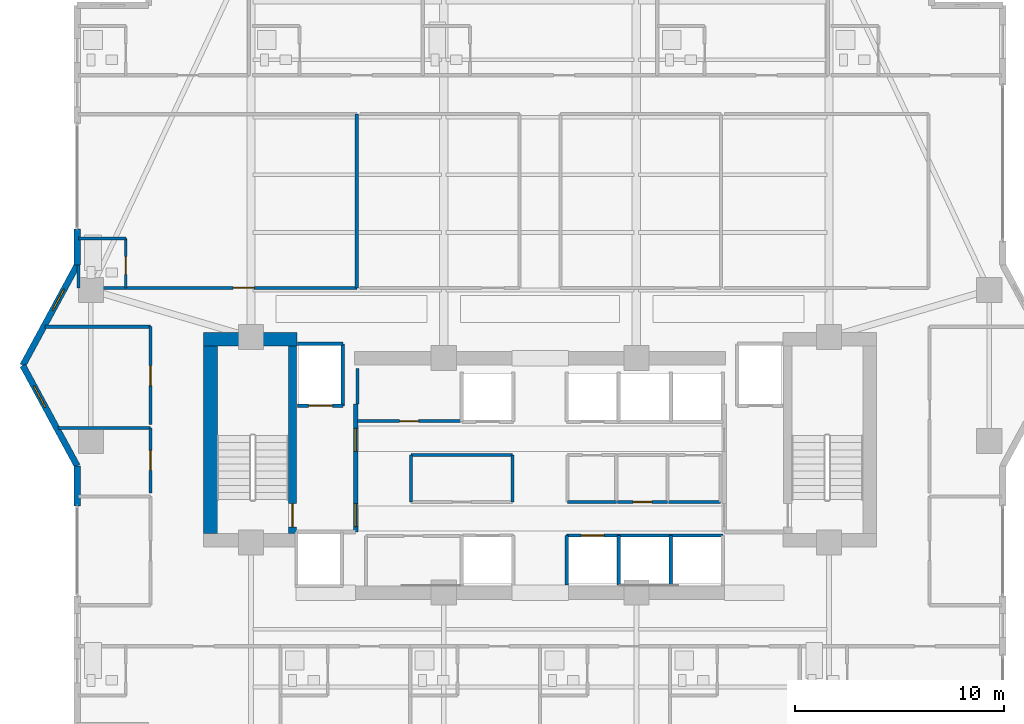
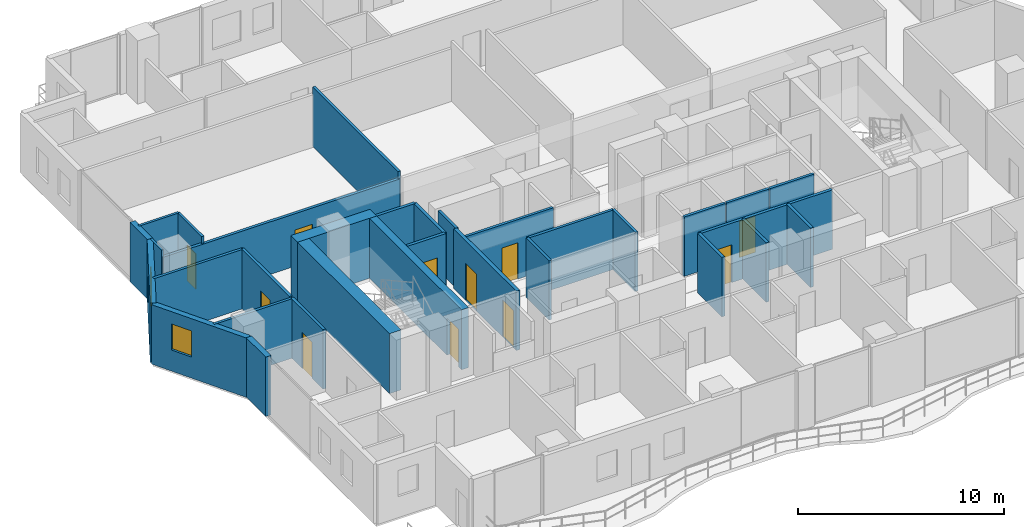
# One storey, part 25 of 32: 34 walls, 11 doors, 2 windows, 13 openings.
"""IFC4 building model written with IfcOpenShell, lengths in metres."""

from ifc_helpers import new_model, si_unit, direction, frame, frame_2d, origin, place, context, subcontext, project, spatial, rectangle, extrude, material, layer, layer_set, type_object, element, fill, save


model = new_model("IFC4")

# Units and contexts
model_context = context("Model", 3, precision=1e-05, world=origin(), true_north=direction((0.0, 1.0)))
body_context = subcontext(model_context, "Body", "Model", "MODEL_VIEW")
ifc_project = project(units=[si_unit("LENGTHUNIT", "METRE"), si_unit("AREAUNIT", "SQUARE_METRE"), si_unit("VOLUMEUNIT", "CUBIC_METRE"), si_unit("PLANEANGLEUNIT", "RADIAN"), si_unit("MASSUNIT", "GRAM", prefix="KILO")], contexts=[model_context])

# Site, building, storey
site_placement = place(None, origin())
site = spatial("IfcSite", under=ifc_project, at=site_placement, CompositionType="ELEMENT")
building_placement = place(site_placement, origin())
building = spatial("IfcBuilding", under=site, at=building_placement, Name="Zuhayl Quay Hotel", CompositionType="ELEMENT")
storey_placement = place(building_placement, frame((0.0, 0.0, 192.39990234375)))
storey = spatial("IfcBuildingStorey", under=building, at=storey_placement, Name="L48", CompositionType="ELEMENT", Elevation=192.39990234375)

# Walls
ifc_material_1 = material(Name="Concrete C50/60", Category="concrete")
ifc_layer_1 = layer(ifc_material_1, 0.64990234375, Name="Concrete C50/60", Category="concrete")
ifc_layer_set_1 = layer_set([ifc_layer_1], Name="Concrete C50/60")
wall_type_1 = type_object("IfcWallType", Name="WL_CORE_650", PredefinedType="SHEAR", material=ifc_layer_set_1)
wall_1_placement = place(storey_placement, frame((-16.06005859375, 14.2548828125, 0.0), z_axis=(0.0, 0.0, 1.0), x_axis=(1.0, 0.0, 0.0)))
element("IfcWall", 1, at=wall_1_placement, inside=storey, type_object=wall_type_1, Name="L48 Core Shear Wall CW_NW", PredefinedType="SHEAR", context=body_context, shape_type="SweptSolid", body=[
    extrude(rectangle(XDim=4.4599609375, YDim=0.64990234375, at=frame_2d((2.22998046875, 0.0))), origin(), (0.0, 0.0, 1.0), 3.56005859375),
])
wall_2_placement = place(storey_placement, frame((-15.735107421875, 4.969970703125, 0.0), z_axis=(0.0, 0.0, 1.0), x_axis=(0.0, 1.0, 0.0)))
element("IfcWall", 2, at=wall_2_placement, inside=storey, type_object=wall_type_1, Name="L48 Core Shear Wall CW_W", PredefinedType="SHEAR", context=body_context, shape_type="SweptSolid", body=[
    extrude(rectangle(XDim=8.9599609375, YDim=0.64990234375, at=frame_2d((4.47998046875, 0.0))), origin(), (0.0, 0.0, 1.0), 3.56005859375),
])
ifc_material_2 = material(Name="Precast concrete C45/55", Category="concrete")
ifc_layer_2 = layer(ifc_material_2, 0.300048828125, Name="Precast concrete C45/55", Category="concrete")
ifc_layer_set_2 = layer_set([ifc_layer_2], Name="Precast concrete C45/55")
wall_type_2 = type_object("IfcWallType", Name="WL_EXT_300", PredefinedType="STANDARD", material=ifc_layer_set_2)
wall_3_placement = place(storey_placement, frame((-22.10009765625, 6.300048828125, 0.0), z_axis=(0.0, 0.0, 1.0), x_axis=(0.0, 1.0, 0.0)))
element("IfcWall", 3, at=wall_3_placement, inside=storey, type_object=wall_type_2, Name="L48 Exterior Precast Wall ENV_L48_E02_EW2", PredefinedType="STANDARD", context=body_context, shape_type="SweptSolid", body=[
    extrude(rectangle(XDim=1.89990234375, YDim=0.300048828125, at=frame_2d((0.949951171875, 0.0))), origin(), (0.0, 0.0, 1.0), 3.530029296875),
])

# Wall, opening, window
wall_4_placement = place(storey_placement, frame((-22.10009765625, 8.199951171875, 0.0), z_axis=(0.0, 0.0, 1.0), x_axis=(-0.476258655584, 0.879305233114, 0.0)))
wall_4 = element("IfcWall", 4, at=wall_4_placement, inside=storey, type_object=wall_type_2, Name="L48 Exterior Precast Wall ENV_L48_EW03", PredefinedType="STANDARD", context=body_context, shape_type="SweptSolid", body=[
    extrude(rectangle(XDim=5.458984375, YDim=0.300048828125, at=frame_2d((2.7294921875, 0.0))), origin(), (0.0, 0.0, 1.0), 3.530029296875),
])
opening_1_placement = place(wall_4_placement, frame((3.18505859375, 0.0, 1.25)))
opening_1 = element("IfcOpeningElement", 5, at=opening_1_placement, cuts=wall_4, Name="Opening W01N", PredefinedType="OPENING", context=body_context, shape_type="SweptSolid", body=[
    extrude(rectangle(XDim=1.14990234375, YDim=1.550048828125, at=frame_2d((0.574951171875, 0.77490234375))), frame((0.0, 0.159912109375, 0.0), z_axis=(0.0, -1.0, 0.0), x_axis=(1.0, 0.0, 0.0)), (0.0, 0.0, 1.0), 0.320068359375),
])
ifc_material_3 = material(Name="Dark Ceramic-Fritted Solar Glass", Category="glass")
window_type = type_object("IfcWindowType", Name="WN_NOTCH_1350", PartitioningType="SINGLE_PANEL", PredefinedType="WINDOW", material=ifc_material_3)
window_1_placement = place(opening_1_placement, origin())
window_1 = element("IfcWindow", 6, at=window_1_placement, inside=storey, type_object=window_type, Name="L48 Corner Notch Window 3", OverallHeight=1.550048828125, OverallWidth=1.14990234375, PartitioningType="SINGLE_PANEL", PredefinedType="WINDOW", context=body_context, shape_type="SweptSolid", body=[
    extrude(rectangle(XDim=1.14990234375, YDim=1.550048828125, at=frame_2d((0.574951171875, 0.77490234375))), frame((0.0, 0.030029296875, 0.0), z_axis=(0.0, -1.0, 0.0), x_axis=(1.0, 0.0, 0.0)), (0.0, 0.0, 1.0), 0.06005859375),
])
fill(opening_1, window_1)

wall_5_placement = place(storey_placement, frame((-24.699951171875, 13.0, 0.0), z_axis=(0.0, 0.0, 1.0), x_axis=(0.476258655584, 0.879305233114, 0.0)))
wall_5 = element("IfcWall", 7, at=wall_5_placement, inside=storey, type_object=wall_type_2, Name="L48 Exterior Precast Wall ENV_L48_EW04", PredefinedType="STANDARD", context=body_context, shape_type="SweptSolid", body=[
    extrude(rectangle(XDim=5.458984375, YDim=0.300048828125, at=frame_2d((2.7294921875, 0.0))), origin(), (0.0, 0.0, 1.0), 3.530029296875),
])
opening_2_placement = place(wall_5_placement, frame((2.9931640625, 0.0, 1.25)))
opening_2 = element("IfcOpeningElement", 8, at=opening_2_placement, cuts=wall_5, Name="Opening W01N", PredefinedType="OPENING", context=body_context, shape_type="SweptSolid", body=[
    extrude(rectangle(XDim=1.14990234375, YDim=1.550048828125, at=frame_2d((0.574951171875, 0.77490234375))), frame((0.0, 0.159912109375, 0.0), z_axis=(0.0, -1.0, 0.0), x_axis=(1.0, 0.0, 0.0)), (0.0, 0.0, 1.0), 0.320068359375),
])
window_2_placement = place(opening_2_placement, origin())
window_2 = element("IfcWindow", 9, at=window_2_placement, inside=storey, type_object=window_type, Name="L48 Corner Notch Window 4", OverallHeight=1.550048828125, OverallWidth=1.14990234375, PartitioningType="SINGLE_PANEL", PredefinedType="WINDOW", context=body_context, shape_type="SweptSolid", body=[
    extrude(rectangle(XDim=1.14990234375, YDim=1.550048828125, at=frame_2d((0.574951171875, 0.77490234375))), frame((0.0, 0.030029296875, 0.0), z_axis=(0.0, -1.0, 0.0), x_axis=(1.0, 0.0, 0.0)), (0.0, 0.0, 1.0), 0.06005859375),
])
fill(opening_2, window_2)

# Wall
wall_6_placement = place(storey_placement, frame((-22.10009765625, 17.800048828125, 0.0), z_axis=(0.0, 0.0, 1.0), x_axis=(0.0, 1.0, 0.0)))
element("IfcWall", 10, at=wall_6_placement, inside=storey, type_object=wall_type_2, Name="L48 Exterior Precast Wall ENV_L48_E05_EW1", PredefinedType="STANDARD", context=body_context, shape_type="SweptSolid", body=[
    extrude(rectangle(XDim=1.7099609375, YDim=0.300048828125, at=frame_2d((0.85498046875, 0.0))), origin(), (0.0, 0.0, 1.0), 3.530029296875),
])

# Wall, opening, door
ifc_material_4 = material(Name="Acoustic Gypsum Partition STC-58")
ifc_layer_3 = layer(ifc_material_4, 0.14990234375, Name="Acoustic Gypsum Partition STC-58")
ifc_layer_set_3 = layer_set([ifc_layer_3], Name="Acoustic Gypsum Partition STC-58")
wall_type_3 = type_object("IfcWallType", Name="WL_PART_150", PredefinedType="PARTITIONING", material=ifc_layer_set_3)
wall_7_placement = place(storey_placement, frame((-8.7099609375, 10.340087890625, 0.0), z_axis=(0.0, 0.0, 1.0), x_axis=(1.0, 0.0, 0.0)))
wall_7 = element("IfcWall", 11, at=wall_7_placement, inside=storey, type_object=wall_type_3, Name="L48 Partition IW_L48_FLP_N_S", PredefinedType="PARTITIONING", context=body_context, shape_type="SweptSolid", body=[
    extrude(rectangle(XDim=4.919921875, YDim=0.14990234375, at=frame_2d((2.4599609375, 0.0))), origin(), (0.0, 0.0, 1.0), 3.530029296875),
])
opening_3_placement = place(wall_7_placement, frame((2.010009765625, 0.0, 0.0)))
opening_3 = element("IfcOpeningElement", 12, at=opening_3_placement, cuts=wall_7, Name="Opening D06", PredefinedType="OPENING", context=body_context, shape_type="SweptSolid", body=[
    extrude(rectangle(XDim=0.89990234375, YDim=2.14990234375, at=frame_2d((0.449951171875, 1.074951171875))), frame((0.0, 0.0849609375, 0.0), z_axis=(0.0, -1.0, 0.0), x_axis=(1.0, 0.0, 0.0)), (0.0, 0.0, 1.0), 0.169921875),
])
ifc_material_5 = material(Name="Steel ASTM A992 Grade 50", Category="steel")
door_type_1 = type_object("IfcDoorType", Name="DR_INT_900", OperationType="NOTDEFINED", PredefinedType="DOOR", material=ifc_material_5)
door_1_placement = place(opening_3_placement, origin())
door_1 = element("IfcDoor", 13, at=door_1_placement, inside=storey, type_object=door_type_1, Name="L48 Housekeeping Linen Bay Door", OperationType="SINGLE_SWING_RIGHT", OverallHeight=2.14990234375, OverallWidth=0.89990234375, PredefinedType="DOOR", context=body_context, shape_type="SweptSolid", body=[
    extrude(rectangle(XDim=0.89990234375, YDim=2.14990234375, at=frame_2d((0.449951171875, 1.074951171875))), frame((0.0, 0.02490234375, 0.0), z_axis=(0.0, -1.0, 0.0), x_axis=(1.0, 0.0, 0.0)), (0.0, 0.0, 1.0), 0.050048828125),
])
fill(opening_3, door_1)

wall_8_placement = place(storey_placement, frame((3.699951171875, 6.47998046875, 0.0), z_axis=(0.0, 0.0, 1.0), x_axis=(1.0, 0.0, 0.0)))
wall_8 = element("IfcWall", 14, at=wall_8_placement, inside=storey, type_object=wall_type_3, Name="L48 Partition IW_L48_CORE_E2_S", PredefinedType="PARTITIONING", context=body_context, shape_type="SweptSolid", body=[
    extrude(rectangle(XDim=2.380126953125, YDim=0.14990234375, at=frame_2d((1.18994140625, 0.0))), origin(), (0.0, 0.0, 1.0), 3.530029296875),
])
opening_4_placement = place(wall_8_placement, frame((0.739990234375, 0.0, 0.0)))
opening_4 = element("IfcOpeningElement", 15, at=opening_4_placement, cuts=wall_8, Name="Opening D06", PredefinedType="OPENING", context=body_context, shape_type="SweptSolid", body=[
    extrude(rectangle(XDim=0.89990234375, YDim=2.14990234375, at=frame_2d((0.449951171875, 1.074951171875))), frame((0.0, 0.0849609375, 0.0), z_axis=(0.0, -1.0, 0.0), x_axis=(1.0, 0.0, 0.0)), (0.0, 0.0, 1.0), 0.169921875),
])
door_2_placement = place(opening_4_placement, origin())
door_2 = element("IfcDoor", 16, at=door_2_placement, inside=storey, type_object=door_type_1, Name="L48 Data Closet Door", OperationType="SINGLE_SWING_LEFT", OverallHeight=2.14990234375, OverallWidth=0.89990234375, PredefinedType="DOOR", context=body_context, shape_type="SweptSolid", body=[
    extrude(rectangle(XDim=0.89990234375, YDim=2.14990234375, at=frame_2d((0.449951171875, 1.074951171875))), frame((0.0, 0.02490234375, 0.0), z_axis=(0.0, -1.0, 0.0), x_axis=(1.0, 0.0, 0.0)), (0.0, 0.0, 1.0), 0.050048828125),
])
fill(opening_4, door_2)

# Walls
wall_9_placement = place(storey_placement, frame((-8.7099609375, 11.14990234375, 0.0), z_axis=(0.0, 0.0, 1.0), x_axis=(0.0, 1.0, 0.0)))
element("IfcWall", 17, at=wall_9_placement, inside=storey, type_object=wall_type_3, Name="L48 Partition IW_L48_FLP_N_W", PredefinedType="PARTITIONING", context=body_context, shape_type="SweptSolid", body=[
    extrude(rectangle(XDim=1.710205078125, YDim=0.14990234375, at=frame_2d((0.85498046875, 0.0))), origin(), (0.0, 0.0, 1.0), 3.530029296875),
])
wall_10_placement = place(storey_placement, frame((-6.159912109375, 8.719970703125, 0.0), z_axis=(0.0, 0.0, 1.0), x_axis=(1.0, 0.0, 0.0)))
element("IfcWall", 18, at=wall_10_placement, inside=storey, type_object=wall_type_3, Name="L48 Partition IW_L48_CORE_SV_N", PredefinedType="PARTITIONING", context=body_context, shape_type="SweptSolid", body=[
    extrude(rectangle(XDim=4.83984375, YDim=0.14990234375, at=frame_2d((2.419921875, 0.0))), origin(), (0.0, 0.0, 1.0), 3.530029296875),
])
for number, where, z_axis, x_axis, name in (
    (19, (-6.159912109375, 6.47998046875, 0.0), (0.0, 0.0, 1.0), (0.0, 1.0, 0.0), "L48 Partition IW_L48_CORE_SV_W"),
    (20, (-1.320068359375, 6.47998046875, 0.0), (0.0, 0.0, 1.0), (0.0, 1.0, 0.0), "L48 Partition IW_L48_CORE_SV_E"),
):
    element("IfcWall", number, at=place(storey_placement, frame(where, z_axis=z_axis, x_axis=x_axis)), inside=storey, type_object=wall_type_3, Name=name, PredefinedType="PARTITIONING", context=body_context, shape_type="SweptSolid", body=[
        extrude(rectangle(XDim=2.239990234375, YDim=0.14990234375, at=frame_2d((1.1201171875, 0.0))), origin(), (0.0, 0.0, 1.0), 3.530029296875),
    ])
wall_11_placement = place(storey_placement, frame((1.320068359375, 6.47998046875, 0.0), z_axis=(0.0, 0.0, 1.0), x_axis=(1.0, 0.0, 0.0)))
element("IfcWall", 21, at=wall_11_placement, inside=storey, type_object=wall_type_3, Name="L48 Partition IW_L48_CORE_E1_S", PredefinedType="PARTITIONING", context=body_context, shape_type="SweptSolid", body=[
    extrude(rectangle(XDim=2.31982421875, YDim=0.14990234375, at=frame_2d((1.159912109375, 0.0))), origin(), (0.0, 0.0, 1.0), 3.530029296875),
])
wall_12_placement = place(storey_placement, frame((6.139892578125, 6.47998046875, 0.0), z_axis=(0.0, 0.0, 1.0), x_axis=(1.0, 0.0, 0.0)))
element("IfcWall", 22, at=wall_12_placement, inside=storey, type_object=wall_type_3, Name="L48 Partition IW_L48_CORE_E3_S", PredefinedType="PARTITIONING", context=body_context, shape_type="SweptSolid", body=[
    extrude(rectangle(XDim=2.47021484375, YDim=0.14990234375, at=frame_2d((1.235107421875, 0.0))), origin(), (0.0, 0.0, 1.0), 3.530029296875),
])
wall_13_placement = place(storey_placement, frame((-8.75, 16.699951171875, 0.0), z_axis=(0.0, 0.0, 1.0), x_axis=(0.0, 1.0, 0.0)))
element("IfcWall", 23, at=wall_13_placement, inside=storey, type_object=wall_type_3, Name="L48 Partition IW_L48_MU01_E", PredefinedType="PARTITIONING", context=body_context, shape_type="SweptSolid", body=[
    extrude(rectangle(XDim=8.300048828125, YDim=0.14990234375, at=frame_2d((4.14990234375, 0.0))), origin(), (0.0, 0.0, 1.0), 3.530029296875),
])
wall_14_placement = place(storey_placement, frame((-23.02587890625, 10.02001953125, 0.0), z_axis=(0.0, 0.0, 1.0), x_axis=(1.0, 0.0, 0.0)))
element("IfcWall", 24, at=wall_14_placement, inside=storey, type_object=wall_type_3, Name="L48 Partition IW_L48_WPROW_2_N", PredefinedType="PARTITIONING", context=body_context, shape_type="SweptSolid", body=[
    extrude(rectangle(XDim=4.42578125, YDim=0.14990234375, at=frame_2d((2.212890625, 0.0))), origin(), (0.0, 0.0, 1.0), 3.530029296875),
])
wall_15_placement = place(storey_placement, frame((-23.637939453125, 14.85009765625, 0.0), z_axis=(0.0, 0.0, 1.0), x_axis=(1.0, 0.0, 0.0)))
element("IfcWall", 25, at=wall_15_placement, inside=storey, type_object=wall_type_3, Name="L48 Partition IW_L48_WPROW_3_N", PredefinedType="PARTITIONING", context=body_context, shape_type="SweptSolid", body=[
    extrude(rectangle(XDim=5.037841796875, YDim=0.14990234375, at=frame_2d((2.51904296875, 0.0))), origin(), (0.0, 0.0, 1.0), 3.530029296875),
])

# Wall, opening, door
ifc_layer_4 = layer(ifc_material_4, 0.159912109375, Name="Acoustic Gypsum Partition STC-58")
ifc_layer_set_4 = layer_set([ifc_layer_4], Name="Acoustic Gypsum Partition STC-58")
wall_type_4 = type_object("IfcWallType", Name="WL_PART_CORR_160", PredefinedType="PARTITIONING", material=ifc_layer_set_4)
wall_16_placement = place(storey_placement, frame((-22.0400390625, 16.699951171875, 0.0), z_axis=(0.0, 0.0, 1.0), x_axis=(1.0, 0.0, 0.0)))
wall_16 = element("IfcWall", 26, at=wall_16_placement, inside=storey, type_object=wall_type_4, Name="L48 Partition IW_L48_MU01_COR", PredefinedType="PARTITIONING", context=body_context, shape_type="SweptSolid", body=[
    extrude(rectangle(XDim=13.2900390625, YDim=0.159912109375, at=frame_2d((6.64501953125, 0.0))), origin(), (0.0, 0.0, 1.0), 3.1240234375),
])
opening_5_placement = place(wall_16_placement, frame((7.389892578125, 0.0, 0.0)))
opening_5 = element("IfcOpeningElement", 27, at=opening_5_placement, cuts=wall_16, Name="Opening D03L", PredefinedType="OPENING", context=body_context, shape_type="SweptSolid", body=[
    extrude(rectangle(XDim=1.0, YDim=2.14990234375, at=frame_2d((0.5, 1.074951171875))), frame((0.0, 0.08984375, 0.0), z_axis=(0.0, -1.0, 0.0), x_axis=(1.0, 0.0, 0.0)), (0.0, 0.0, 1.0), 0.179931640625),
])
ifc_material_6 = material(Name="Solid Walnut Acoustic Fire Door")
door_type_2 = type_object("IfcDoorType", Name="DR_SUITE_1000", OperationType="NOTDEFINED", PredefinedType="DOOR", material=ifc_material_6)
door_3_placement = place(opening_5_placement, origin())
door_3 = element("IfcDoor", 28, at=door_3_placement, inside=storey, type_object=door_type_2, Name="L48 West Spa Corner Suite L48-M1 Entrance Door", OperationType="SINGLE_SWING_RIGHT", OverallHeight=2.14990234375, OverallWidth=1.0, PredefinedType="DOOR", context=body_context, shape_type="SweptSolid", body=[
    extrude(rectangle(XDim=1.0, YDim=2.14990234375, at=frame_2d((0.5, 1.074951171875))), frame((0.0, 0.02490234375, 0.0), z_axis=(0.0, -1.0, 0.0), x_axis=(1.0, 0.0, 0.0)), (0.0, 0.0, 1.0), 0.050048828125),
])
fill(opening_5, door_3)

wall_17_placement = place(storey_placement, frame((-18.60009765625, 6.909912109375, 0.0), z_axis=(0.0, 0.0, 1.0), x_axis=(0.0, 1.0, 0.0)))
wall_17 = element("IfcWall", 29, at=wall_17_placement, inside=storey, type_object=wall_type_4, Name="L48 Partition IW_L48_WPROW_2_E", PredefinedType="PARTITIONING", context=body_context, shape_type="SweptSolid", body=[
    extrude(rectangle(XDim=3.110107421875, YDim=0.159912109375, at=frame_2d((1.55517578125, 0.0))), origin(), (0.0, 0.0, 1.0), 3.530029296875),
])
opening_6_placement = place(wall_17_placement, frame((1.080078125, 0.0, 0.0)))
opening_6 = element("IfcOpeningElement", 30, at=opening_6_placement, cuts=wall_17, Name="Opening D03", PredefinedType="OPENING", context=body_context, shape_type="SweptSolid", body=[
    extrude(rectangle(XDim=0.949951171875, YDim=2.14990234375, at=frame_2d((0.47509765625, 1.074951171875))), frame((0.0, 0.08984375, 0.0), z_axis=(0.0, -1.0, 0.0), x_axis=(1.0, 0.0, 0.0)), (0.0, 0.0, 1.0), 0.179931640625),
])
door_type_3 = type_object("IfcDoorType", Name="DR_SUITE_950", OperationType="NOTDEFINED", PredefinedType="DOOR", material=ifc_material_6)
door_4_placement = place(opening_6_placement, origin())
door_4 = element("IfcDoor", 31, at=door_4_placement, inside=storey, type_object=door_type_3, Name="L48 Sunset Tea Salon L48 Door", OperationType="SINGLE_SWING_LEFT", OverallHeight=2.14990234375, OverallWidth=0.949951171875, PredefinedType="DOOR", context=body_context, shape_type="SweptSolid", body=[
    extrude(rectangle(XDim=0.949951171875, YDim=2.14990234375, at=frame_2d((0.47509765625, 1.074951171875))), frame((0.0, 0.02490234375, 0.0), z_axis=(0.0, -1.0, 0.0), x_axis=(1.0, 0.0, 0.0)), (0.0, 0.0, 1.0), 0.050048828125),
])
fill(opening_6, door_4)

wall_18_placement = place(storey_placement, frame((-18.60009765625, 10.179931640625, 0.0), z_axis=(0.0, 0.0, 1.0), x_axis=(0.0, 1.0, 0.0)))
wall_18 = element("IfcWall", 32, at=wall_18_placement, inside=storey, type_object=wall_type_4, Name="L48 Partition IW_L48_WPROW_3_E", PredefinedType="PARTITIONING", context=body_context, shape_type="SweptSolid", body=[
    extrude(rectangle(XDim=4.670166015625, YDim=0.159912109375, at=frame_2d((2.3349609375, 0.0))), origin(), (0.0, 0.0, 1.0), 3.530029296875),
])
opening_7_placement = place(wall_18_placement, frame((1.860107421875, 0.0, 0.0)))
opening_7 = element("IfcOpeningElement", 33, at=opening_7_placement, cuts=wall_18, Name="Opening D03", PredefinedType="OPENING", context=body_context, shape_type="SweptSolid", body=[
    extrude(rectangle(XDim=0.949951171875, YDim=2.14990234375, at=frame_2d((0.47509765625, 1.074951171875))), frame((0.0, 0.08984375, 0.0), z_axis=(0.0, -1.0, 0.0), x_axis=(1.0, 0.0, 0.0)), (0.0, 0.0, 1.0), 0.179931640625),
])
door_5_placement = place(opening_7_placement, origin())
door_5 = element("IfcDoor", 34, at=door_5_placement, inside=storey, type_object=door_type_3, Name="L48 West Horizon Salon L48 Door", OperationType="SINGLE_SWING_RIGHT", OverallHeight=2.14990234375, OverallWidth=0.949951171875, PredefinedType="DOOR", context=body_context, shape_type="SweptSolid", body=[
    extrude(rectangle(XDim=0.949951171875, YDim=2.14990234375, at=frame_2d((0.47509765625, 1.074951171875))), frame((0.0, 0.02490234375, 0.0), z_axis=(0.0, -1.0, 0.0), x_axis=(1.0, 0.0, 0.0)), (0.0, 0.0, 1.0), 0.050048828125),
])
fill(opening_7, door_5)

ifc_material_7 = material(Name="Moisture-Resistant Sanitarychase Gypsum")
ifc_layer_5 = layer(ifc_material_7, 0.135009765625, Name="Moisture-Resistant Sanitarychase Gypsum")
ifc_layer_set_5 = layer_set([ifc_layer_5], Name="Moisture-Resistant Sanitarychase Gypsum")
wall_type_5 = type_object("IfcWallType", Name="WL_PART_PLUMB_150", PredefinedType="PLUMBINGWALL", material=ifc_layer_set_5)
wall_19_placement = place(storey_placement, frame((-19.780029296875, 16.699951171875, 0.0), z_axis=(0.0, 0.0, 1.0), x_axis=(0.0, 1.0, 0.0)))
wall_19 = element("IfcWall", 35, at=wall_19_placement, inside=storey, type_object=wall_type_5, Name="L48 Partition IW_L48_MU01_BE", PredefinedType="PLUMBINGWALL", context=body_context, shape_type="SweptSolid", body=[
    extrude(rectangle(XDim=2.360107421875, YDim=0.135009765625, at=frame_2d((1.18017578125, 0.0))), origin(), (0.0, 0.0, 1.0), 3.530029296875),
])
opening_8_placement = place(wall_19_placement, frame((0.64990234375, 0.0, 0.0)))
opening_8 = element("IfcOpeningElement", 36, at=opening_8_placement, cuts=wall_19, Name="Opening D04", PredefinedType="OPENING", context=body_context, shape_type="SweptSolid", body=[
    extrude(rectangle(XDim=0.85009765625, YDim=2.10009765625, at=frame_2d((0.425048828125, 1.050048828125))), frame((0.0, 0.077392578125, 0.0), z_axis=(0.0, -1.0, 0.0), x_axis=(1.0, 0.0, 0.0)), (0.0, 0.0, 1.0), 0.155029296875),
])
ifc_material_8 = material(Name="Moisture-Resistant Walnut Veneer")
door_type_4 = type_object("IfcDoorType", Name="DR_BATH_850", OperationType="NOTDEFINED", PredefinedType="DOOR", material=ifc_material_8)
door_6_placement = place(opening_8_placement, origin())
door_6 = element("IfcDoor", 37, at=door_6_placement, inside=storey, type_object=door_type_4, Name="L48 West Spa Corner Suite L48-M1 En-Suite Door", OperationType="SINGLE_SWING_LEFT", OverallHeight=2.10009765625, OverallWidth=0.85009765625, PredefinedType="DOOR", context=body_context, shape_type="SweptSolid", body=[
    extrude(rectangle(XDim=0.85009765625, YDim=2.10009765625, at=frame_2d((0.425048828125, 1.050048828125))), frame((0.0, 0.02490234375, 0.0), z_axis=(0.0, -1.0, 0.0), x_axis=(1.0, 0.0, 0.0)), (0.0, 0.0, 1.0), 0.050048828125),
])
fill(opening_8, door_6)

# Walls
wall_20_placement = place(storey_placement, frame((-22.0400390625, 19.06005859375, 0.0), z_axis=(0.0, 0.0, 1.0), x_axis=(1.0, 0.0, 0.0)))
element("IfcWall", 38, at=wall_20_placement, inside=storey, type_object=wall_type_5, Name="L48 Partition IW_L48_MU01_BN", PredefinedType="PLUMBINGWALL", context=body_context, shape_type="SweptSolid", body=[
    extrude(rectangle(XDim=2.260009765625, YDim=0.135009765625, at=frame_2d((1.1298828125, 0.0))), origin(), (0.0, 0.0, 1.0), 3.530029296875),
])
wall_21_placement = place(storey_placement, frame((-22.0400390625, 16.699951171875, 0.0), z_axis=(0.0, 0.0, 1.0), x_axis=(0.0, 1.0, 0.0)))
element("IfcWall", 39, at=wall_21_placement, inside=storey, type_object=wall_type_5, Name="L48 Partition IW_L48_MU01_BW", PredefinedType="PLUMBINGWALL", context=body_context, shape_type="SweptSolid", body=[
    extrude(rectangle(XDim=1.10009765625, YDim=0.135009765625, at=frame_2d((0.550048828125, 0.0))), origin(), (0.0, 0.0, 1.0), 3.530029296875),
])

# Wall, opening, door
ifc_material_9 = material(Name="Gypsum Fireboard Assembly EI-90")
ifc_layer_6 = layer(ifc_material_9, 0.1650390625, Name="Gypsum Fireboard Assembly EI-90")
ifc_layer_set_6 = layer_set([ifc_layer_6], Name="Gypsum Fireboard Assembly EI-90")
wall_type_6 = type_object("IfcWallType", Name="WL_PART_SHAFT_160", PredefinedType="PARTITIONING", material=ifc_layer_set_6)
wall_22_placement = place(storey_placement, frame((-11.580078125, 11.070068359375, 0.0), z_axis=(0.0, 0.0, 1.0), x_axis=(1.0, 0.0, 0.0)))
wall_22 = element("IfcWall", 40, at=wall_22_placement, inside=storey, type_object=wall_type_6, Name="L48 Partition IW_L48_SH_FL1_F", PredefinedType="PARTITIONING", context=body_context, shape_type="SweptSolid", body=[
    extrude(rectangle(XDim=2.16015625, YDim=0.1650390625, at=frame_2d((1.080078125, 0.0))), origin(), (0.0, 0.0, 1.0), 3.530029296875),
])
opening_9_placement = place(wall_22_placement, frame((0.530029296875, 0.0, 0.0)))
opening_9 = element("IfcOpeningElement", 41, at=opening_9_placement, cuts=wall_22, Name="Opening LD2", PredefinedType="OPENING", context=body_context, shape_type="SweptSolid", body=[
    extrude(rectangle(XDim=1.14990234375, YDim=2.25, at=frame_2d((0.574951171875, 1.125))), frame((0.0, 0.092529296875, 0.0), z_axis=(0.0, -1.0, 0.0), x_axis=(1.0, 0.0, 0.0)), (0.0, 0.0, 1.0), 0.18505859375),
])
ifc_material_10 = material(Name="Brushed Stainless Steel", Category="steel")
door_type_5 = type_object("IfcDoorType", Name="DR_LIFT_FF_1100", OperationType="SLIDING_TO_LEFT", PredefinedType="DOOR", material=ifc_material_10)
door_7_placement = place(opening_9_placement, origin())
door_7 = element("IfcDoor", 42, at=door_7_placement, inside=storey, type_object=door_type_5, Name="L48 Lift FL1 Sliding Landing Door", OperationType="SLIDING_TO_LEFT", OverallHeight=2.25, OverallWidth=1.14990234375, PredefinedType="DOOR", context=body_context, shape_type="SweptSolid", body=[
    extrude(rectangle(XDim=1.14990234375, YDim=2.25, at=frame_2d((0.574951171875, 1.125))), frame((0.0, 0.02490234375, 0.0), z_axis=(0.0, -1.0, 0.0), x_axis=(1.0, 0.0, 0.0)), (0.0, 0.0, 1.0), 0.050048828125),
])
fill(opening_9, door_7)

wall_23_placement = place(storey_placement, frame((1.27001953125, 4.8798828125, 0.0), z_axis=(0.0, 0.0, 1.0), x_axis=(1.0, 0.0, 0.0)))
wall_23 = element("IfcWall", 43, at=wall_23_placement, inside=storey, type_object=wall_type_6, Name="L48 Partition IW_L48_SH_MP2_F", PredefinedType="PARTITIONING", context=body_context, shape_type="SweptSolid", body=[
    extrude(rectangle(XDim=2.47998046875, YDim=0.1650390625, at=frame_2d((1.239990234375, 0.0))), origin(), (0.0, 0.0, 1.0), 3.530029296875),
])
opening_10_placement = place(wall_23_placement, frame((0.68994140625, 0.0, 0.0)))
opening_10 = element("IfcOpeningElement", 44, at=opening_10_placement, cuts=wall_23, Name="Opening LD1", PredefinedType="OPENING", context=body_context, shape_type="SweptSolid", body=[
    extrude(rectangle(XDim=1.10009765625, YDim=2.25, at=frame_2d((0.550048828125, 1.125))), frame((0.0, 0.092529296875, 0.0), z_axis=(0.0, -1.0, 0.0), x_axis=(1.0, 0.0, 0.0)), (0.0, 0.0, 1.0), 0.18505859375),
])
door_type_6 = type_object("IfcDoorType", Name="DR_LIFT_PASS_1100", OperationType="SLIDING_TO_LEFT", PredefinedType="DOOR", material=ifc_material_10)
door_8_placement = place(opening_10_placement, origin())
door_8 = element("IfcDoor", 45, at=door_8_placement, inside=storey, type_object=door_type_6, Name="L48 Lift MP2 Sliding Landing Door", OperationType="SLIDING_TO_LEFT", OverallHeight=2.25, OverallWidth=1.10009765625, PredefinedType="DOOR", context=body_context, shape_type="SweptSolid", body=[
    extrude(rectangle(XDim=1.10009765625, YDim=2.25, at=frame_2d((0.550048828125, 1.125))), frame((0.0, 0.02490234375, 0.0), z_axis=(0.0, -1.0, 0.0), x_axis=(1.0, 0.0, 0.0)), (0.0, 0.0, 1.0), 0.050048828125),
])
fill(opening_10, door_8)

# Walls
wall_24_placement = place(storey_placement, frame((-9.419921875, 11.070068359375, 0.0), z_axis=(0.0, 0.0, 1.0), x_axis=(0.0, 1.0, 0.0)))
element("IfcWall", 46, at=wall_24_placement, inside=storey, type_object=wall_type_6, Name="L48 Partition IW_L48_SH_FL1_E", PredefinedType="PARTITIONING", context=body_context, shape_type="SweptSolid", body=[
    extrude(rectangle(XDim=2.9599609375, YDim=0.1650390625, at=frame_2d((1.47998046875, 0.0))), origin(), (0.0, 0.0, 1.0), 3.530029296875),
])
wall_25_placement = place(storey_placement, frame((-11.580078125, 14.030029296875, 0.0), z_axis=(0.0, 0.0, 1.0), x_axis=(1.0, 0.0, 0.0)))
element("IfcWall", 47, at=wall_25_placement, inside=storey, type_object=wall_type_6, Name="L48 Partition IW_L48_SH_FL1_B", PredefinedType="PARTITIONING", context=body_context, shape_type="SweptSolid", body=[
    extrude(rectangle(XDim=2.16015625, YDim=0.1650390625, at=frame_2d((1.080078125, 0.0))), origin(), (0.0, 0.0, 1.0), 3.530029296875),
])
for number, where, z_axis, x_axis, name in (
    (48, (1.27001953125, 2.52001953125, 0.0), (0.0, 0.0, 1.0), (0.0, 1.0, 0.0), "L48 Partition IW_L48_SH_MP2_W"),
    (49, (3.75, 2.52001953125, 0.0), (0.0, 0.0, 1.0), (0.0, 1.0, 0.0), "L48 Partition IW_L48_SH_MP2_E"),
):
    element("IfcWall", number, at=place(storey_placement, frame(where, z_axis=z_axis, x_axis=x_axis)), inside=storey, type_object=wall_type_6, Name=name, PredefinedType="PARTITIONING", context=body_context, shape_type="SweptSolid", body=[
        extrude(rectangle(XDim=2.35986328125, YDim=0.1650390625, at=frame_2d((1.179931640625, 0.0))), origin(), (0.0, 0.0, 1.0), 3.530029296875),
    ])
wall_26_placement = place(storey_placement, frame((3.75, 4.8798828125, 0.0), z_axis=(0.0, 0.0, 1.0), x_axis=(1.0, 0.0, 0.0)))
element("IfcWall", 50, at=wall_26_placement, inside=storey, type_object=wall_type_6, Name="L48 Partition IW_L48_SH_HP1_F", PredefinedType="PARTITIONING", context=body_context, shape_type="SweptSolid", body=[
    extrude(rectangle(XDim=2.5, YDim=0.1650390625, at=frame_2d((1.25, 0.0))), origin(), (0.0, 0.0, 1.0), 3.530029296875),
])
wall_27_placement = place(storey_placement, frame((6.25, 2.52001953125, 0.0), z_axis=(0.0, 0.0, 1.0), x_axis=(0.0, 1.0, 0.0)))
element("IfcWall", 51, at=wall_27_placement, inside=storey, type_object=wall_type_6, Name="L48 Partition IW_L48_SH_HP1_E", PredefinedType="PARTITIONING", context=body_context, shape_type="SweptSolid", body=[
    extrude(rectangle(XDim=2.35986328125, YDim=0.1650390625, at=frame_2d((1.179931640625, 0.0))), origin(), (0.0, 0.0, 1.0), 3.530029296875),
])
wall_28_placement = place(storey_placement, frame((6.25, 4.8798828125, 0.0), z_axis=(0.0, 0.0, 1.0), x_axis=(1.0, 0.0, 0.0)))
element("IfcWall", 52, at=wall_28_placement, inside=storey, type_object=wall_type_6, Name="L48 Partition IW_L48_SH_HP2_F", PredefinedType="PARTITIONING", context=body_context, shape_type="SweptSolid", body=[
    extrude(rectangle(XDim=2.47998046875, YDim=0.1650390625, at=frame_2d((1.239990234375, 0.0))), origin(), (0.0, 0.0, 1.0), 3.530029296875),
])

# Wall, openings, doors
ifc_material_11 = material(Name="Gypsum Fireboard Assembly EI-120")
ifc_layer_7 = layer(ifc_material_11, 0.199951171875, Name="Gypsum Fireboard Assembly EI-120")
ifc_layer_set_7 = layer_set([ifc_layer_7], Name="Gypsum Fireboard Assembly EI-120")
wall_type_7 = type_object("IfcWallType", Name="WL_PART_SHAFT_200", PredefinedType="PARTITIONING", material=ifc_layer_set_7)
wall_29_placement = place(storey_placement, frame((-8.800048828125, 5.050048828125, 0.0), z_axis=(0.0, 0.0, 1.0), x_axis=(0.0, 1.0, 0.0)))
wall_29 = element("IfcWall", 53, at=wall_29_placement, inside=storey, type_object=wall_type_7, Name="L48 Partition IW_L48_FSAE_W_E", PredefinedType="PARTITIONING", context=body_context, shape_type="SweptSolid", body=[
    extrude(rectangle(XDim=6.099853515625, YDim=0.199951171875, at=frame_2d((3.0498046875, 0.0))), origin(), (0.0, 0.0, 1.0), 3.530029296875),
])
opening_11_placement = place(wall_29_placement, frame((0.25, 0.0, 0.0)))
opening_11 = element("IfcOpeningElement", 54, at=opening_11_placement, cuts=wall_29, Name="Opening D02", PredefinedType="OPENING", context=body_context, shape_type="SweptSolid", body=[
    extrude(rectangle(XDim=1.10009765625, YDim=2.199951171875, at=frame_2d((0.550048828125, 1.10009765625))), frame((0.0, 0.10986328125, 0.0), z_axis=(0.0, -1.0, 0.0), x_axis=(1.0, 0.0, 0.0)), (0.0, 0.0, 1.0), 0.219970703125),
])
opening_12_placement = place(wall_29_placement, frame((3.85009765625, 0.0, 0.0)))
opening_12 = element("IfcOpeningElement", 55, at=opening_12_placement, cuts=wall_29, Name="Opening D02", PredefinedType="OPENING", context=body_context, shape_type="SweptSolid", body=[
    extrude(rectangle(XDim=1.10009765625, YDim=2.199951171875, at=frame_2d((0.550048828125, 1.10009765625))), frame((0.0, 0.10986328125, 0.0), z_axis=(0.0, -1.0, 0.0), x_axis=(1.0, 0.0, 0.0)), (0.0, 0.0, 1.0), 0.219970703125),
])
door_type_7 = type_object("IfcDoorType", Name="DR_FIRE_90_1100", OperationType="NOTDEFINED", PredefinedType="DOOR", material=ifc_material_5)
door_9_placement = place(opening_11_placement, origin())
door_9 = element("IfcDoor", 56, at=door_9_placement, inside=storey, type_object=door_type_7, Name="L48 FSAE Lobby West South Entry Door", OperationType="SINGLE_SWING_LEFT", OverallHeight=2.199951171875, OverallWidth=1.10009765625, PredefinedType="DOOR", context=body_context, shape_type="SweptSolid", body=[
    extrude(rectangle(XDim=1.10009765625, YDim=2.199951171875, at=frame_2d((0.550048828125, 1.10009765625))), frame((0.0, 0.02490234375, 0.0), z_axis=(0.0, -1.0, 0.0), x_axis=(1.0, 0.0, 0.0)), (0.0, 0.0, 1.0), 0.050048828125),
])
fill(opening_11, door_9)
door_10_placement = place(opening_12_placement, origin())
door_10 = element("IfcDoor", 57, at=door_10_placement, inside=storey, type_object=door_type_7, Name="L48 FSAE Lobby West North Entry Door", OperationType="SINGLE_SWING_RIGHT", OverallHeight=2.199951171875, OverallWidth=1.10009765625, PredefinedType="DOOR", context=body_context, shape_type="SweptSolid", body=[
    extrude(rectangle(XDim=1.10009765625, YDim=2.199951171875, at=frame_2d((0.550048828125, 1.10009765625))), frame((0.0, 0.02490234375, 0.0), z_axis=(0.0, -1.0, 0.0), x_axis=(1.0, 0.0, 0.0)), (0.0, 0.0, 1.0), 0.050048828125),
])
fill(opening_12, door_10)

# Wall, opening, door
ifc_material_12 = material(Name="Concrete C60/75", Category="concrete")
ifc_layer_8 = layer(ifc_material_12, 0.39990234375, Name="Concrete C60/75", Category="concrete")
ifc_layer_set_8 = layer_set([ifc_layer_8], Name="Concrete C60/75")
wall_type_8 = type_object("IfcWallType", Name="WL_STAIR_400", PredefinedType="SHEAR", material=ifc_layer_set_8)
wall_30_placement = place(storey_placement, frame((-11.820068359375, 4.969970703125, 0.0), z_axis=(0.0, 0.0, 1.0), x_axis=(0.0, 1.0, 0.0)))
wall_30 = element("IfcWall", 58, at=wall_30_placement, inside=storey, type_object=wall_type_8, Name="L48 Core Shear Wall SW_ST1", PredefinedType="SHEAR", context=body_context, shape_type="SweptSolid", body=[
    extrude(rectangle(XDim=8.9599609375, YDim=0.39990234375, at=frame_2d((4.47998046875, 0.0))), origin(), (0.0, 0.0, 1.0), 3.56005859375),
])
opening_13_placement = place(wall_30_placement, frame((0.31005859375, 0.0, 0.0)))
opening_13 = element("IfcOpeningElement", 59, at=opening_13_placement, cuts=wall_30, Name="Opening D01", PredefinedType="OPENING", context=body_context, shape_type="SweptSolid", body=[
    extrude(rectangle(XDim=1.1201171875, YDim=2.219970703125, at=frame_2d((0.56005859375, 1.10986328125))), frame((0.0, 0.2099609375, 0.0), z_axis=(0.0, -1.0, 0.0), x_axis=(1.0, 0.0, 0.0)), (0.0, 0.0, 1.0), 0.419921875),
])
door_type_8 = type_object("IfcDoorType", Name="DR_STAIR_90_1100", OperationType="NOTDEFINED", PredefinedType="DOOR", material=ifc_material_5)
door_11_placement = place(opening_13_placement, origin())
door_11 = element("IfcDoor", 60, at=door_11_placement, inside=storey, type_object=door_type_8, Name="L48 Smokeproof Exit Stair ST1 Door", OperationType="SINGLE_SWING_LEFT", OverallHeight=2.219970703125, OverallWidth=1.1201171875, PredefinedType="DOOR", context=body_context, shape_type="SweptSolid", body=[
    extrude(rectangle(XDim=1.1201171875, YDim=2.219970703125, at=frame_2d((0.56005859375, 1.10986328125))), frame((0.0, 0.02490234375, 0.0), z_axis=(0.0, -1.0, 0.0), x_axis=(1.0, 0.0, 0.0)), (0.0, 0.0, 1.0), 0.050048828125),
])
fill(opening_13, door_11)

save(model, "model.ifc")
